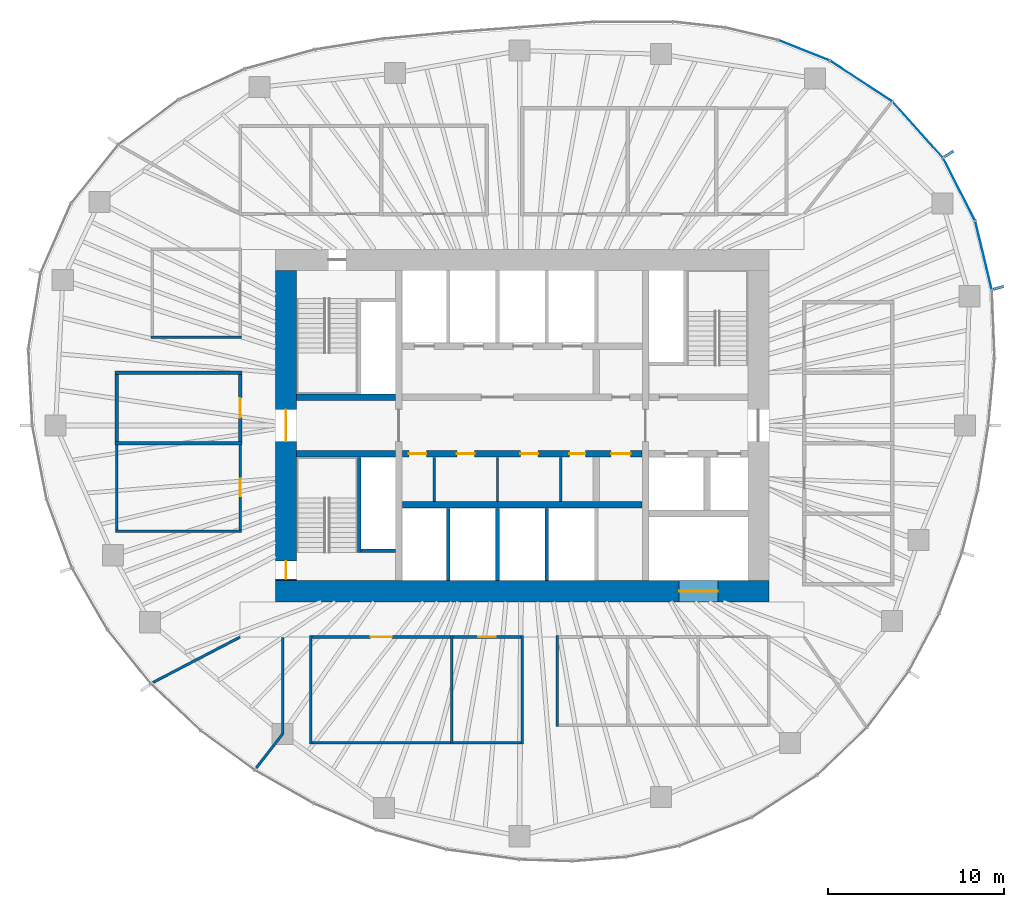
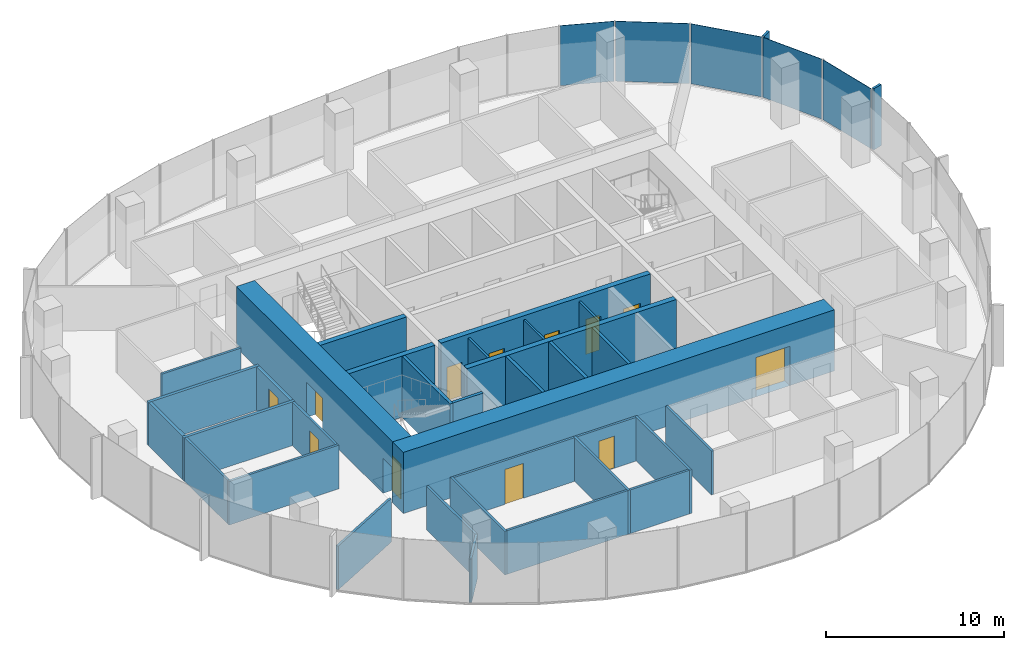
# One storey, part 8 of 12: 33 walls, 12 doors, 7 plates, 12 openings, 3 elements without a shape of their own.
"""IFC4 building model written with IfcOpenShell, lengths in metres."""

from ifc_helpers import new_model, si_unit, direction, frame, frame_2d, origin, origin_2d, place, context, subcontext, project, spatial, rectangle, extrude, material, layer, layer_set, type_object, element, fill, aggregate, save


model = new_model("IFC4")

# Units and contexts
model_context = context("Model", 3, precision=1e-05, world=origin(), true_north=direction((0.0, 1.0)))
body_context = subcontext(model_context, "Body", "Model", "MODEL_VIEW")
ifc_project = project(units=[si_unit("LENGTHUNIT", "METRE"), si_unit("AREAUNIT", "SQUARE_METRE"), si_unit("VOLUMEUNIT", "CUBIC_METRE"), si_unit("PLANEANGLEUNIT", "RADIAN"), si_unit("MASSUNIT", "GRAM", prefix="KILO")], contexts=[model_context])

# Site, building, storey
site_placement = place(None, origin())
site = spatial("IfcSite", under=ifc_project, at=site_placement, CompositionType="ELEMENT")
building_placement = place(site_placement, origin())
building = spatial("IfcBuilding", under=site, at=building_placement, Name="Ghaith Harvest Tower", CompositionType="ELEMENT")
storey_placement = place(building_placement, frame((0.0, 0.0, 236.800048828125)))
storey = spatial("IfcBuildingStorey", under=building, at=storey_placement, Name="L52", CompositionType="ELEMENT", Elevation=236.800048828125)

# Curtain wall, plates
ifc_material_1 = material(Name="Black anodised aluminium and fritted glass", Category="aluminium")
curtain_wall_type = type_object("IfcCurtainWallType", Name="CW-H CURTAIN WALL", PredefinedType="NOTDEFINED", material=ifc_material_1)
curtain_wall_1_placement = place(storey_placement, origin())
curtain_wall_1 = element("IfcCurtainWall", 1, at=curtain_wall_1_placement, inside=storey, type_object=curtain_wall_type, Name="Curtain wall CW-H bay 02 L52", PredefinedType="NOTDEFINED")
ifc_material_2 = material(Name="Glass, dark solar-control fritted double glazed unit", Category="glass")
ifc_layer_1 = layer(ifc_material_2, 0.030029296875)
ifc_layer_set_1 = layer_set([ifc_layer_1], Name="CW-H VISION PANEL")
plate_type_1 = type_object("IfcPlateType", Name="CW-H VISION PANEL", PredefinedType="CURTAIN_PANEL", material=ifc_layer_set_1)
plate_1_placement = place(storey_placement, frame((26.1767578125, 9.6533203125, 0.079833984375), z_axis=(0.0, 0.0, 1.0), x_axis=(-0.233894000303, 0.972262102842, 0.0)))
plate_1 = element("IfcPlate", 2, at=plate_1_placement, type_object=plate_type_1, Name="CW-H glass unit 1 bay 02 L52", PredefinedType="CURTAIN_PANEL", context=body_context, shape_type="SweptSolid", body=[
    extrude(rectangle(XDim=3.935546875, YDim=0.030029296875, at=origin_2d()), origin(), (0.0, 0.0, 1.0), 4.1201171875),
])
plate_2_placement = place(storey_placement, frame((24.790771484375, 13.399658203125, 0.079833984375), z_axis=(0.0, 0.0, 1.0), x_axis=(-0.454915320985, 0.890534699342, 0.0)))
plate_2 = element("IfcPlate", 3, at=plate_2_placement, type_object=plate_type_1, Name="CW-H glass unit 2 bay 02 L52", PredefinedType="CURTAIN_PANEL", context=body_context, shape_type="SweptSolid", body=[
    extrude(rectangle(XDim=3.949462890625, YDim=0.030029296875, at=origin_2d()), origin(), (0.0, 0.0, 1.0), 4.1201171875),
])
aggregate(curtain_wall_1, [plate_1, plate_2])

curtain_wall_2_placement = place(storey_placement, origin())
curtain_wall_2 = element("IfcCurtainWall", 4, at=curtain_wall_2_placement, inside=storey, type_object=curtain_wall_type, Name="Curtain wall CW-H bay 03 L52", PredefinedType="NOTDEFINED")
plate_3_placement = place(storey_placement, frame((22.44384765625, 16.783935546875, 0.079833984375), z_axis=(0.0, 0.0, 1.0), x_axis=(-0.668757736889, 0.743480389352, 0.0)))
plate_3 = element("IfcPlate", 5, at=plate_3_placement, type_object=plate_type_1, Name="CW-H glass unit 1 bay 03 L52", PredefinedType="CURTAIN_PANEL", context=body_context, shape_type="SweptSolid", body=[
    extrude(rectangle(XDim=4.19775390625, YDim=0.030029296875, at=origin_2d()), origin(), (0.0, 0.0, 1.0), 4.1201171875),
])
plate_4_placement = place(storey_placement, frame((19.236328125, 19.539306640625, 0.079833984375), z_axis=(0.0, 0.0, 1.0), x_axis=(-0.836276741583, 0.548307588392, 0.0)))
plate_4 = element("IfcPlate", 6, at=plate_4_placement, type_object=plate_type_1, Name="CW-H glass unit 2 bay 03 L52", PredefinedType="CURTAIN_PANEL", context=body_context, shape_type="SweptSolid", body=[
    extrude(rectangle(XDim=4.169677734375, YDim=0.030029296875, at=origin_2d()), origin(), (0.0, 0.0, 1.0), 4.1201171875),
])
aggregate(curtain_wall_2, [plate_3, plate_4])

# Curtain wall, plate
curtain_wall_3_placement = place(storey_placement, origin())
curtain_wall_3 = element("IfcCurtainWall", 7, at=curtain_wall_3_placement, inside=storey, type_object=curtain_wall_type, Name="Curtain wall CW-H bay 04 L52", PredefinedType="NOTDEFINED")
plate_5_placement = place(storey_placement, frame((15.993408203125, 21.287841796875, 0.079833984375), z_axis=(0.0, 0.0, 1.0), x_axis=(-0.929107322045, 0.369810200133, 0.0)))
plate_5 = element("IfcPlate", 8, at=plate_5_placement, type_object=plate_type_1, Name="CW-H glass unit 1 bay 04 L52", PredefinedType="CURTAIN_PANEL", context=body_context, shape_type="SweptSolid", body=[
    extrude(rectangle(XDim=3.075927734375, YDim=0.030029296875, at=origin_2d()), origin(), (0.0, 0.0, 1.0), 4.1201171875),
])
aggregate(curtain_wall_3, [plate_5])

# Plates
ifc_material_3 = material(Name="Glassfibre-reinforced concrete", Category="concrete")
ifc_layer_2 = layer(ifc_material_3, 0.14990234375)
ifc_layer_set_2 = layer_set([ifc_layer_2], Name="SUN-BREAKER FIN 600x150")
plate_type_2 = type_object("IfcPlateType", Name="SUN-BREAKER FIN 600x150", PredefinedType="USERDEFINED", material=ifc_layer_set_2)
for number, where, z_axis, x_axis, name in (
    (9, (27.03076171875, 7.8125, 0.0), (0.0, 0.0, 1.0), (0.960680349985, 0.277656739792, 0.0), "Sun-breaker fin CW-H 1 bay 02 L52"),
    (10, (24.211669921875, 15.408447265625, 0.0), (0.0, 0.0, 1.0), (0.843643971464, 0.536903016766, 0.0), "Sun-breaker fin CW-H 1 bay 03 L52"),
):
    element("IfcPlate", number, at=place(storey_placement, frame(where, z_axis=z_axis, x_axis=x_axis)), inside=storey, type_object=plate_type_2, Name=name, ObjectType="SUN-BREAKER FIN", PredefinedType="USERDEFINED", context=body_context, shape_type="SweptSolid", body=[
        extrude(rectangle(XDim=0.60009765625, YDim=0.14990234375, at=origin_2d()), origin(), (0.0, 0.0, 1.0), 4.199951171875),
    ])

# Walls
ifc_material_4 = material(Name="Twin-stud gypsum board, acoustic", Category="gypsum")
ifc_layer_3 = layer(ifc_material_4, 0.199951171875)
ifc_layer_set_3 = layer_set([ifc_layer_3], Name="ACOUSTIC PARTITION 200")
wall_type_1 = type_object("IfcWallType", Name="ACOUSTIC PARTITION 200", PredefinedType="PARTITIONING", material=ifc_layer_set_3)
for number, where, z_axis, x_axis, name in (
    (11, (-15.89990234375, -1.0, 0.0), (0.0, 0.0, 1.0), (-1.0, 0.0, 0.0), "Partition L52 row W6 cross wall 2"),
    (12, (-15.89990234375, 3.0, 0.0), (0.0, 0.0, 1.0), (-1.0, 0.0, 0.0), "Partition L52 row W6 cross wall 3"),
):
    element("IfcWall", number, at=place(storey_placement, frame(where, z_axis=z_axis, x_axis=x_axis)), inside=storey, type_object=wall_type_1, Name=name, PredefinedType="PARTITIONING", context=body_context, shape_type="SweptSolid", body=[
        extrude(rectangle(XDim=7.2001953125, YDim=0.199951171875, at=frame_2d((3.60009765625, 0.0))), origin(), (0.0, 0.0, 1.0), 3.0),
    ])

# Wall, opening, door
wall_1_placement = place(storey_placement, frame((-16.0, -0.89990234375, 0.0), z_axis=(0.0, 0.0, 1.0), x_axis=(0.0, 1.0, 0.0)))
wall_1 = element("IfcWall", 13, at=wall_1_placement, inside=storey, type_object=wall_type_1, Name="Partition L52-17", PredefinedType="PARTITIONING", context=body_context, shape_type="SweptSolid", body=[
    extrude(rectangle(XDim=3.7998046875, YDim=0.199951171875, at=frame_2d((1.89990234375, 0.0))), origin(), (0.0, 0.0, 1.0), 3.0),
])
opening_1_placement = place(wall_1_placement, frame((1.35009765625, 0.0, 0.0)))
opening_1 = element("IfcOpeningElement", 14, at=opening_1_placement, cuts=wall_1, Name="Opening 52-038", PredefinedType="OPENING", context=body_context, shape_type="SweptSolid", body=[
    extrude(rectangle(XDim=1.10009765625, YDim=2.300048828125, at=frame_2d((0.550048828125, 1.14990234375))), frame((0.0, 0.10986328125, 0.0), z_axis=(0.0, -1.0, 0.0), x_axis=(1.0, 0.0, 0.0)), (0.0, 0.0, 1.0), 0.219970703125),
])
ifc_material_5 = material(Name="Timber-framed glazed door", Category="wood")
door_type_1 = type_object("IfcDoorType", Name="D12 GLAZED OFFICE 1100x2300", OperationType="SINGLE_SWING_LEFT", PredefinedType="DOOR", material=ifc_material_5)
door_1_placement = place(opening_1_placement, origin())
door_1 = element("IfcDoor", 15, at=door_1_placement, inside=storey, type_object=door_type_1, Name="Quiet room door", OperationType="SINGLE_SWING_LEFT", OverallHeight=2.300048828125, OverallWidth=1.10009765625, PredefinedType="DOOR", context=body_context, shape_type="SweptSolid", body=[
    extrude(rectangle(XDim=1.10009765625, YDim=2.300048828125, at=frame_2d((0.550048828125, 1.14990234375))), frame((0.0, 0.02490234375, 0.0), z_axis=(0.0, -1.0, 0.0), x_axis=(1.0, 0.0, 0.0)), (0.0, 0.0, 1.0), 0.050048828125),
])
fill(opening_1, door_1)

# Walls
wall_2_placement = place(storey_placement, frame((-23.0, -0.89990234375, 0.0), z_axis=(0.0, 0.0, 1.0), x_axis=(0.0, 1.0, 0.0)))
element("IfcWall", 16, at=wall_2_placement, inside=storey, type_object=wall_type_1, Name="Partition L52-17", PredefinedType="PARTITIONING", context=body_context, shape_type="SweptSolid", body=[
    extrude(rectangle(XDim=3.7998046875, YDim=0.199951171875, at=frame_2d((1.89990234375, 0.0))), origin(), (0.0, 0.0, 1.0), 3.0),
])
ifc_material_6 = material(Name="Concrete blockwork, fair-faced", Category="masonry")
ifc_layer_4 = layer(ifc_material_6, 0.139892578125)
ifc_layer_set_4 = layer_set([ifc_layer_4], Name="CORE PARTITION 140")
wall_type_2 = type_object("IfcWallType", Name="CORE PARTITION 140", PredefinedType="PARTITIONING", material=ifc_layer_set_4)
for number, where, z_axis, x_axis, name in (
    (17, (-5.0, -1.800048828125, 0.0), (0.0, 0.0, 1.0), (0.0, -1.0, 0.0), "Core partition L52"),
    (18, (-1.39990234375, -1.800048828125, 0.0), (0.0, 0.0, 1.0), (0.0, -1.0, 0.0), "Core partition L52"),
    (19, (2.199951171875, -1.800048828125, 0.0), (0.0, 0.0, 1.0), (0.0, -1.0, 0.0), "Core partition L52"),
):
    element("IfcWall", number, at=place(storey_placement, frame(where, z_axis=z_axis, x_axis=x_axis)), inside=storey, type_object=wall_type_2, Name=name, PredefinedType="PARTITIONING", context=body_context, shape_type="SweptSolid", body=[
        extrude(rectangle(XDim=2.5, YDim=0.139892578125, at=frame_2d((1.25, 0.0))), origin(), (0.0, 0.0, 1.0), 3.949951171875),
    ])

# Wall, opening, door
ifc_material_7 = material(Name="Concrete C60/75", Category="concrete")
ifc_layer_5 = layer(ifc_material_7, 1.199951171875)
ifc_layer_set_5 = layer_set([ifc_layer_5], Name="CORE WALL CW1200 C60")
wall_type_3 = type_object("IfcWallType", Name="CORE WALL CW1200 C60", PredefinedType="SHEAR", material=ifc_layer_set_5)
wall_3_placement = place(storey_placement, frame((-14.0, -9.39990234375, 0.0), z_axis=(0.0, 0.0, 1.0), x_axis=(1.0, 0.0, 0.0)))
wall_3 = element("IfcWall", 20, at=wall_3_placement, inside=storey, type_object=wall_type_3, Name="Core wall S L52", PredefinedType="SHEAR", context=body_context, shape_type="SweptSolid", body=[
    extrude(rectangle(XDim=28.0, YDim=1.199951171875, at=frame_2d((14.0, 0.0))), origin(), (0.0, 0.0, 1.0), 4.199951171875),
])
opening_2_placement = place(wall_3_placement, frame((22.89990234375, 0.0, 0.0)))
opening_2 = element("IfcOpeningElement", 21, at=opening_2_placement, cuts=wall_3, Name="Opening 52-021", PredefinedType="OPENING", context=body_context, shape_type="SweptSolid", body=[
    extrude(rectangle(XDim=2.199951171875, YDim=2.699951171875, at=frame_2d((1.10009765625, 1.35009765625))), frame((0.0, 0.60986328125, 0.0), z_axis=(0.0, -1.0, 0.0), x_axis=(1.0, 0.0, 0.0)), (0.0, 0.0, 1.0), 1.219970703125),
])
ifc_material_8 = material(Name="Steel fire door", Category="steel")
door_type_2 = type_object("IfcDoorType", Name="LD3 LANDING 2200x2700", OperationType="DOUBLE_DOOR_SLIDING", PredefinedType="DOOR", material=ifc_material_8)
door_2_placement = place(opening_2_placement, origin())
door_2 = element("IfcDoor", 22, at=door_2_placement, inside=storey, type_object=door_type_2, Name="Landing door, goods lift GL1", OperationType="DOUBLE_DOOR_SLIDING", OverallHeight=2.699951171875, OverallWidth=2.199951171875, PredefinedType="DOOR", context=body_context, shape_type="SweptSolid", body=[
    extrude(rectangle(XDim=2.199951171875, YDim=2.699951171875, at=frame_2d((1.10009765625, 1.35009765625))), frame((0.0, 0.02490234375, 0.0), z_axis=(0.0, -1.0, 0.0), x_axis=(1.0, 0.0, 0.0)), (0.0, 0.0, 1.0), 0.050048828125),
])
fill(opening_2, door_2)

# Wall, openings, doors
wall_4_placement = place(storey_placement, frame((-13.39990234375, 8.800048828125, 0.0), z_axis=(0.0, 0.0, 1.0), x_axis=(0.0, -1.0, 0.0)))
wall_4 = element("IfcWall", 23, at=wall_4_placement, inside=storey, type_object=wall_type_3, Name="Core wall W L52", PredefinedType="SHEAR", context=body_context, shape_type="SweptSolid", body=[
    extrude(rectangle(XDim=17.60009765625, YDim=1.199951171875, at=frame_2d((8.800048828125, 0.0))), origin(), (0.0, 0.0, 1.0), 4.199951171875),
])
opening_3_placement = place(wall_4_placement, frame((7.89990234375, 0.0, 0.0)))
opening_3 = element("IfcOpeningElement", 24, at=opening_3_placement, cuts=wall_4, Name="Opening 52-001", PredefinedType="OPENING", context=body_context, shape_type="SweptSolid", body=[
    extrude(rectangle(XDim=1.800048828125, YDim=2.39990234375, at=frame_2d((0.89990234375, 1.199951171875))), frame((0.0, 0.60986328125, 0.0), z_axis=(0.0, -1.0, 0.0), x_axis=(1.0, 0.0, 0.0)), (0.0, 0.0, 1.0), 1.219970703125),
])
opening_4_placement = place(wall_4_placement, frame((16.5, 0.0, 0.0)))
opening_4 = element("IfcOpeningElement", 25, at=opening_4_placement, cuts=wall_4, Name="Opening 52-006", PredefinedType="OPENING", context=body_context, shape_type="SweptSolid", body=[
    extrude(rectangle(XDim=1.0, YDim=2.39990234375, at=frame_2d((0.5, 1.199951171875))), frame((0.0, 0.60986328125, 0.0), z_axis=(0.0, -1.0, 0.0), x_axis=(1.0, 0.0, 0.0)), (0.0, 0.0, 1.0), 1.219970703125),
])
ifc_material_9 = material(Name="Steel fire door", Category="steel")
door_type_3 = type_object("IfcDoorType", Name="D3 FD90 1000x2400", OperationType="SINGLE_SWING_LEFT", PredefinedType="DOOR", material=ifc_material_9)
door_3_placement = place(opening_4_placement, origin())
door_3 = element("IfcDoor", 26, at=door_3_placement, inside=storey, type_object=door_type_3, Name="Stair ST3 door", OperationType="SINGLE_SWING_RIGHT", OverallHeight=2.39990234375, OverallWidth=1.0, PredefinedType="DOOR", context=body_context, shape_type="SweptSolid", body=[
    extrude(rectangle(XDim=1.0, YDim=2.39990234375, at=frame_2d((0.5, 1.199951171875))), frame((0.0, 0.02490234375, 0.0), z_axis=(0.0, -1.0, 0.0), x_axis=(1.0, 0.0, 0.0)), (0.0, 0.0, 1.0), 0.050048828125),
])
fill(opening_4, door_3)
ifc_material_10 = material(Name="Steel fire door", Category="steel")
door_type_4 = type_object("IfcDoorType", Name="D4 FD90 PAIR 1800x2400", OperationType="DOUBLE_DOOR_SINGLE_SWING", PredefinedType="DOOR", material=ifc_material_10)
door_4_placement = place(opening_3_placement, origin())
door_4 = element("IfcDoor", 27, at=door_4_placement, inside=storey, type_object=door_type_4, Name="West lobby doors", OperationType="DOUBLE_DOOR_SINGLE_SWING", OverallHeight=2.39990234375, OverallWidth=1.800048828125, PredefinedType="DOOR", context=body_context, shape_type="SweptSolid", body=[
    extrude(rectangle(XDim=1.800048828125, YDim=2.39990234375, at=frame_2d((0.89990234375, 1.199951171875))), frame((0.0, 0.02490234375, 0.0), z_axis=(0.0, -1.0, 0.0), x_axis=(1.0, 0.0, 0.0)), (0.0, 0.0, 1.0), 0.050048828125),
])
fill(opening_3, door_4)

# Walls
ifc_material_11 = material(Name="Concrete blockwork, 2-hour", Category="masonry")
ifc_layer_6 = layer(ifc_material_11, 0.199951171875)
ifc_layer_set_6 = layer_set([ifc_layer_6], Name="LIFT SHAFT WALL 200")
wall_type_4 = type_object("IfcWallType", Name="LIFT SHAFT WALL 200", PredefinedType="PARTITIONING", material=ifc_layer_set_6)
for number, where, z_axis, x_axis, name in (
    (28, (-4.199951171875, -4.699951171875, 0.0), (0.0, 0.0, 1.0), (0.0, -1.0, 0.0), "Lift shaft wall L52"),
    (29, (-1.39990234375, -4.699951171875, 0.0), (0.0, 0.0, 1.0), (0.0, -1.0, 0.0), "Lift shaft wall L52"),
    (30, (1.39990234375, -4.699951171875, 0.0), (0.0, 0.0, 1.0), (0.0, -1.0, 0.0), "Lift shaft wall L52"),
):
    element("IfcWall", number, at=place(storey_placement, frame(where, z_axis=z_axis, x_axis=x_axis)), inside=storey, type_object=wall_type_4, Name=name, PredefinedType="PARTITIONING", context=body_context, shape_type="SweptSolid", body=[
        extrude(rectangle(XDim=4.10009765625, YDim=0.199951171875, at=frame_2d((2.050048828125, 0.0))), origin(), (0.0, 0.0, 1.0), 4.199951171875),
    ])
ifc_material_12 = material(Name="Gypsum board on steel studs", Category="steel")
ifc_layer_7 = layer(ifc_material_12, 0.14990234375)
ifc_layer_set_7 = layer_set([ifc_layer_7], Name="PARTITION 150")
wall_type_5 = type_object("IfcWallType", Name="PARTITION 150", PredefinedType="PARTITIONING", material=ifc_layer_set_7)
for number, where, z_axis, x_axis, name in (
    (31, (-12.0, -11.925048828125, 0.0), (0.0, 0.0, 1.0), (0.0, -1.0, 0.0), "Partition L52 row S1 cross wall 1"),
    (32, (-4.0, -11.925048828125, 0.0), (0.0, 0.0, 1.0), (0.0, -1.0, 0.0), "Partition L52 row S1 cross wall 2"),
    (33, (0.0, -11.925048828125, 0.0), (0.0, 0.0, 1.0), (0.0, -1.0, 0.0), "Partition L52 row S1 cross wall 3"),
):
    element("IfcWall", number, at=place(storey_placement, frame(where, z_axis=z_axis, x_axis=x_axis)), inside=storey, type_object=wall_type_5, Name=name, PredefinedType="PARTITIONING", context=body_context, shape_type="SweptSolid", body=[
        extrude(rectangle(XDim=6.14990234375, YDim=0.14990234375, at=frame_2d((3.074951171875, 0.0))), origin(), (0.0, 0.0, 1.0), 3.0),
    ])

# Wall, opening, door
wall_5_placement = place(storey_placement, frame((-11.925048828125, -12.0, 0.0), z_axis=(0.0, 0.0, 1.0), x_axis=(1.0, 0.0, 0.0)))
wall_5 = element("IfcWall", 34, at=wall_5_placement, inside=storey, type_object=wall_type_5, Name="Partition L52-01", PredefinedType="PARTITIONING", context=body_context, shape_type="SweptSolid", body=[
    extrude(rectangle(XDim=7.85009765625, YDim=0.14990234375, at=frame_2d((3.925048828125, 0.0))), origin(), (0.0, 0.0, 1.0), 3.0),
])
opening_5_placement = place(wall_5_placement, frame((3.324951171875, 0.0, 0.0)))
opening_5 = element("IfcOpeningElement", 35, at=opening_5_placement, cuts=wall_5, Name="Opening 52-022", PredefinedType="OPENING", context=body_context, shape_type="SweptSolid", body=[
    extrude(rectangle(XDim=1.199951171875, YDim=2.39990234375, at=frame_2d((0.60009765625, 1.199951171875))), frame((0.0, 0.0849609375, 0.0), z_axis=(0.0, -1.0, 0.0), x_axis=(1.0, 0.0, 0.0)), (0.0, 0.0, 1.0), 0.169921875),
])
ifc_material_13 = material(Name="Timber door", Category="wood")
door_type_5 = type_object("IfcDoorType", Name="D11 GLAZED 1200x2400", OperationType="SINGLE_SWING_LEFT", PredefinedType="DOOR", material=ifc_material_13)
door_5_placement = place(opening_5_placement, origin())
door_5 = element("IfcDoor", 36, at=door_5_placement, inside=storey, type_object=door_type_5, Name="Operations room door", OperationType="SINGLE_SWING_LEFT", OverallHeight=2.39990234375, OverallWidth=1.199951171875, PredefinedType="DOOR", context=body_context, shape_type="SweptSolid", body=[
    extrude(rectangle(XDim=1.199951171875, YDim=2.39990234375, at=frame_2d((0.60009765625, 1.199951171875))), frame((0.0, 0.02490234375, 0.0), z_axis=(0.0, -1.0, 0.0), x_axis=(1.0, 0.0, 0.0)), (0.0, 0.0, 1.0), 0.050048828125),
])
fill(opening_5, door_5)

# Wall
wall_6_placement = place(storey_placement, frame((-11.925048828125, -18.0, 0.0), z_axis=(0.0, 0.0, 1.0), x_axis=(1.0, 0.0, 0.0)))
element("IfcWall", 37, at=wall_6_placement, inside=storey, type_object=wall_type_5, Name="Partition L52-01", PredefinedType="PARTITIONING", context=body_context, shape_type="SweptSolid", body=[
    extrude(rectangle(XDim=7.85009765625, YDim=0.14990234375, at=frame_2d((3.925048828125, 0.0))), origin(), (0.0, 0.0, 1.0), 3.0),
])

# Wall, opening, door
wall_7_placement = place(storey_placement, frame((-3.925048828125, -12.0, 0.0), z_axis=(0.0, 0.0, 1.0), x_axis=(1.0, 0.0, 0.0)))
wall_7 = element("IfcWall", 38, at=wall_7_placement, inside=storey, type_object=wall_type_5, Name="Partition L52-02", PredefinedType="PARTITIONING", context=body_context, shape_type="SweptSolid", body=[
    extrude(rectangle(XDim=3.85009765625, YDim=0.14990234375, at=frame_2d((1.925048828125, 0.0))), origin(), (0.0, 0.0, 1.0), 3.0),
])
opening_6_placement = place(wall_7_placement, frame((1.425048828125, 0.0, 0.0)))
opening_6 = element("IfcOpeningElement", 39, at=opening_6_placement, cuts=wall_7, Name="Opening 52-023", PredefinedType="OPENING", context=body_context, shape_type="SweptSolid", body=[
    extrude(rectangle(XDim=1.0, YDim=2.199951171875, at=frame_2d((0.5, 1.10009765625))), frame((0.0, 0.0849609375, 0.0), z_axis=(0.0, -1.0, 0.0), x_axis=(1.0, 0.0, 0.0)), (0.0, 0.0, 1.0), 0.169921875),
])
ifc_material_14 = material(Name="Timber door", Category="wood")
door_type_6 = type_object("IfcDoorType", Name="D1 SINGLE 1000x2200", OperationType="SINGLE_SWING_LEFT", PredefinedType="DOOR", material=ifc_material_14)
door_6_placement = place(opening_6_placement, origin())
door_6 = element("IfcDoor", 40, at=door_6_placement, inside=storey, type_object=door_type_6, Name="Store door", OperationType="SINGLE_SWING_LEFT", OverallHeight=2.199951171875, OverallWidth=1.0, PredefinedType="DOOR", context=body_context, shape_type="SweptSolid", body=[
    extrude(rectangle(XDim=1.0, YDim=2.199951171875, at=frame_2d((0.5, 1.10009765625))), frame((0.0, 0.02490234375, 0.0), z_axis=(0.0, -1.0, 0.0), x_axis=(1.0, 0.0, 0.0)), (0.0, 0.0, 1.0), 0.050048828125),
])
fill(opening_6, door_6)

# Walls
wall_8_placement = place(storey_placement, frame((-3.925048828125, -18.0, 0.0), z_axis=(0.0, 0.0, 1.0), x_axis=(1.0, 0.0, 0.0)))
element("IfcWall", 41, at=wall_8_placement, inside=storey, type_object=wall_type_5, Name="Partition L52-02", PredefinedType="PARTITIONING", context=body_context, shape_type="SweptSolid", body=[
    extrude(rectangle(XDim=3.85009765625, YDim=0.14990234375, at=frame_2d((1.925048828125, 0.0))), origin(), (0.0, 0.0, 1.0), 3.0),
])
wall_9_placement = place(storey_placement, frame((2.0, -11.925048828125, 0.0), z_axis=(0.0, 0.0, 1.0), x_axis=(0.0, -1.0, 0.0)))
element("IfcWall", 42, at=wall_9_placement, inside=storey, type_object=wall_type_5, Name="Partition L52 row S2 cross wall 1", PredefinedType="PARTITIONING", context=body_context, shape_type="SweptSolid", body=[
    extrude(rectangle(XDim=5.14990234375, YDim=0.14990234375, at=frame_2d((2.574951171875, 0.0))), origin(), (0.0, 0.0, 1.0), 3.0),
])
wall_10_placement = place(storey_placement, frame((-15.925048828125, -6.0, 0.0), z_axis=(0.0, 0.0, 1.0), x_axis=(-1.0, 0.0, 0.0)))
element("IfcWall", 43, at=wall_10_placement, inside=storey, type_object=wall_type_5, Name="Partition L52 row W6 cross wall 1", PredefinedType="PARTITIONING", context=body_context, shape_type="SweptSolid", body=[
    extrude(rectangle(XDim=7.14990234375, YDim=0.14990234375, at=frame_2d((3.574951171875, 0.0))), origin(), (0.0, 0.0, 1.0), 3.0),
])

# Wall, opening, door
wall_11_placement = place(storey_placement, frame((-16.0, -5.925048828125, 0.0), z_axis=(0.0, 0.0, 1.0), x_axis=(0.0, 1.0, 0.0)))
wall_11 = element("IfcWall", 44, at=wall_11_placement, inside=storey, type_object=wall_type_5, Name="Partition L52-16", PredefinedType="PARTITIONING", context=body_context, shape_type="SweptSolid", body=[
    extrude(rectangle(XDim=4.824951171875, YDim=0.14990234375, at=frame_2d((2.41259765625, 0.0))), origin(), (0.0, 0.0, 1.0), 3.0),
])
opening_7_placement = place(wall_11_placement, frame((1.91259765625, 0.0, 0.0)))
opening_7 = element("IfcOpeningElement", 45, at=opening_7_placement, cuts=wall_11, Name="Opening 52-037", PredefinedType="OPENING", context=body_context, shape_type="SweptSolid", body=[
    extrude(rectangle(XDim=1.0, YDim=2.199951171875, at=frame_2d((0.5, 1.10009765625))), frame((0.0, 0.0849609375, 0.0), z_axis=(0.0, -1.0, 0.0), x_axis=(1.0, 0.0, 0.0)), (0.0, 0.0, 1.0), 0.169921875),
])
door_7_placement = place(opening_7_placement, origin())
door_7 = element("IfcDoor", 46, at=door_7_placement, inside=storey, type_object=door_type_6, Name="Print room door", OperationType="SINGLE_SWING_LEFT", OverallHeight=2.199951171875, OverallWidth=1.0, PredefinedType="DOOR", context=body_context, shape_type="SweptSolid", body=[
    extrude(rectangle(XDim=1.0, YDim=2.199951171875, at=frame_2d((0.5, 1.10009765625))), frame((0.0, 0.02490234375, 0.0), z_axis=(0.0, -1.0, 0.0), x_axis=(1.0, 0.0, 0.0)), (0.0, 0.0, 1.0), 0.050048828125),
])
fill(opening_7, door_7)

# Walls
wall_12_placement = place(storey_placement, frame((-23.0, -5.925048828125, 0.0), z_axis=(0.0, 0.0, 1.0), x_axis=(0.0, 1.0, 0.0)))
element("IfcWall", 47, at=wall_12_placement, inside=storey, type_object=wall_type_5, Name="Partition L52-16", PredefinedType="PARTITIONING", context=body_context, shape_type="SweptSolid", body=[
    extrude(rectangle(XDim=4.824951171875, YDim=0.14990234375, at=frame_2d((2.41259765625, 0.0))), origin(), (0.0, 0.0, 1.0), 3.0),
])
wall_13_placement = place(storey_placement, frame((-15.925048828125, 5.0, 0.0), z_axis=(0.0, 0.0, 1.0), x_axis=(-1.0, 0.0, 0.0)))
element("IfcWall", 48, at=wall_13_placement, inside=storey, type_object=wall_type_5, Name="Partition L52 row W7 cross wall 1", PredefinedType="PARTITIONING", context=body_context, shape_type="SweptSolid", body=[
    extrude(rectangle(XDim=5.14990234375, YDim=0.14990234375, at=frame_2d((2.574951171875, 0.0))), origin(), (0.0, 0.0, 1.0), 3.0),
])
wall_14_placement = place(storey_placement, frame((-16.017578125, -12.00927734375, 0.0), z_axis=(0.0, 0.0, 1.0), x_axis=(-0.886831549241, -0.462092851351, 0.0)))
element("IfcWall", 49, at=wall_14_placement, inside=storey, type_object=wall_type_5, Name="Partition L52 zone division", PredefinedType="PARTITIONING", context=body_context, shape_type="SweptSolid", body=[
    extrude(rectangle(XDim=5.555419921875, YDim=0.14990234375, at=frame_2d((2.77783203125, 0.0))), origin(), (0.0, 0.0, 1.0), 3.0),
])
wall_15_placement = place(storey_placement, frame((-13.594970703125, -12.02001953125, 0.0), z_axis=(0.0, 0.0, 1.0), x_axis=(0.0, -1.0, 0.0)))
element("IfcWall", 50, at=wall_15_placement, inside=storey, type_object=wall_type_5, Name="Partition L52 zone division", PredefinedType="PARTITIONING", context=body_context, shape_type="SweptSolid", body=[
    extrude(rectangle(XDim=5.48486328125, YDim=0.14990234375, at=frame_2d((2.742431640625, 0.0))), origin(), (0.0, 0.0, 1.0), 3.0),
])
wall_16_placement = place(storey_placement, frame((-13.594970703125, -17.5048828125, 0.0), z_axis=(0.0, 0.0, 1.0), x_axis=(-0.613379342147, -0.78978844169, 0.0)))
element("IfcWall", 51, at=wall_16_placement, inside=storey, type_object=wall_type_5, Name="Partition L52 zone division", PredefinedType="PARTITIONING", context=body_context, shape_type="SweptSolid", body=[
    extrude(rectangle(XDim=2.43994140625, YDim=0.14990234375, at=frame_2d((1.219970703125, 0.0))), origin(), (0.0, 0.0, 1.0), 3.0),
])

# Wall, openings, doors
ifc_material_15 = material(Name="Concrete C60/75", Category="concrete")
ifc_layer_8 = layer(ifc_material_15, 0.35009765625)
ifc_layer_set_8 = layer_set([ifc_layer_8], Name="SHAFT WALL 350")
wall_type_6 = type_object("IfcWallType", Name="SHAFT WALL 350", PredefinedType="SHEAR", material=ifc_layer_set_8)
wall_17_placement = place(storey_placement, frame((-6.800048828125, -1.60009765625, 0.0), z_axis=(0.0, 0.0, 1.0), x_axis=(1.0, 0.0, 0.0)))
wall_17 = element("IfcWall", 52, at=wall_17_placement, inside=storey, type_object=wall_type_6, Name="Shaft wall LS L52", PredefinedType="SHEAR", context=body_context, shape_type="SweptSolid", body=[
    extrude(rectangle(XDim=13.60009765625, YDim=0.35009765625, at=frame_2d((6.800048828125, 0.0))), origin(), (0.0, 0.0, 1.0), 4.199951171875),
])
opening_8_placement = place(wall_17_placement, frame((0.364990234375, 0.0, 0.0)))
opening_8 = element("IfcOpeningElement", 53, at=opening_8_placement, cuts=wall_17, Name="Opening 52-008", PredefinedType="OPENING", context=body_context, shape_type="SweptSolid", body=[
    extrude(rectangle(XDim=1.0, YDim=2.39990234375, at=frame_2d((0.5, 1.199951171875))), frame((0.0, 0.18505859375, 0.0), z_axis=(0.0, -1.0, 0.0), x_axis=(1.0, 0.0, 0.0)), (0.0, 0.0, 1.0), 0.3701171875),
])
opening_9_placement = place(wall_17_placement, frame((3.10009765625, 0.0, 0.0)))
opening_9 = element("IfcOpeningElement", 54, at=opening_9_placement, cuts=wall_17, Name="Opening 52-009", PredefinedType="OPENING", context=body_context, shape_type="SweptSolid", body=[
    extrude(rectangle(XDim=1.0, YDim=2.39990234375, at=frame_2d((0.5, 1.199951171875))), frame((0.0, 0.18505859375, 0.0), z_axis=(0.0, -1.0, 0.0), x_axis=(1.0, 0.0, 0.0)), (0.0, 0.0, 1.0), 0.3701171875),
])
opening_10_placement = place(wall_17_placement, frame((6.699951171875, 0.0, 0.0)))
opening_10 = element("IfcOpeningElement", 55, at=opening_10_placement, cuts=wall_17, Name="Opening 52-010", PredefinedType="OPENING", context=body_context, shape_type="SweptSolid", body=[
    extrude(rectangle(XDim=1.0, YDim=2.39990234375, at=frame_2d((0.5, 1.199951171875))), frame((0.0, 0.18505859375, 0.0), z_axis=(0.0, -1.0, 0.0), x_axis=(1.0, 0.0, 0.0)), (0.0, 0.0, 1.0), 0.3701171875),
])
opening_11_placement = place(wall_17_placement, frame((9.485107421875, 0.0, 0.0)))
opening_11 = element("IfcOpeningElement", 56, at=opening_11_placement, cuts=wall_17, Name="Opening 52-011", PredefinedType="OPENING", context=body_context, shape_type="SweptSolid", body=[
    extrude(rectangle(XDim=0.89990234375, YDim=2.39990234375, at=frame_2d((0.449951171875, 1.199951171875))), frame((0.0, 0.18505859375, 0.0), z_axis=(0.0, -1.0, 0.0), x_axis=(1.0, 0.0, 0.0)), (0.0, 0.0, 1.0), 0.3701171875),
])
opening_12_placement = place(wall_17_placement, frame((11.85009765625, 0.0, 0.0)))
opening_12 = element("IfcOpeningElement", 57, at=opening_12_placement, cuts=wall_17, Name="Opening 52-013", PredefinedType="OPENING", context=body_context, shape_type="SweptSolid", body=[
    extrude(rectangle(XDim=1.10009765625, YDim=2.39990234375, at=frame_2d((0.550048828125, 1.199951171875))), frame((0.0, 0.18505859375, 0.0), z_axis=(0.0, -1.0, 0.0), x_axis=(1.0, 0.0, 0.0)), (0.0, 0.0, 1.0), 0.3701171875),
])
door_8_placement = place(opening_8_placement, origin())
door_8 = element("IfcDoor", 58, at=door_8_placement, inside=storey, type_object=door_type_3, Name="Print room door", OperationType="SINGLE_SWING_LEFT", OverallHeight=2.39990234375, OverallWidth=1.0, PredefinedType="DOOR", context=body_context, shape_type="SweptSolid", body=[
    extrude(rectangle(XDim=1.0, YDim=2.39990234375, at=frame_2d((0.5, 1.199951171875))), frame((0.0, 0.02490234375, 0.0), z_axis=(0.0, -1.0, 0.0), x_axis=(1.0, 0.0, 0.0)), (0.0, 0.0, 1.0), 0.050048828125),
])
fill(opening_8, door_8)
door_9_placement = place(opening_9_placement, origin())
door_9 = element("IfcDoor", 59, at=door_9_placement, inside=storey, type_object=door_type_3, Name="Male WC door", OperationType="SINGLE_SWING_LEFT", OverallHeight=2.39990234375, OverallWidth=1.0, PredefinedType="DOOR", context=body_context, shape_type="SweptSolid", body=[
    extrude(rectangle(XDim=1.0, YDim=2.39990234375, at=frame_2d((0.5, 1.199951171875))), frame((0.0, 0.02490234375, 0.0), z_axis=(0.0, -1.0, 0.0), x_axis=(1.0, 0.0, 0.0)), (0.0, 0.0, 1.0), 0.050048828125),
])
fill(opening_9, door_9)
door_10_placement = place(opening_10_placement, origin())
door_10 = element("IfcDoor", 60, at=door_10_placement, inside=storey, type_object=door_type_3, Name="Female WC door", OperationType="SINGLE_SWING_RIGHT", OverallHeight=2.39990234375, OverallWidth=1.0, PredefinedType="DOOR", context=body_context, shape_type="SweptSolid", body=[
    extrude(rectangle(XDim=1.0, YDim=2.39990234375, at=frame_2d((0.5, 1.199951171875))), frame((0.0, 0.02490234375, 0.0), z_axis=(0.0, -1.0, 0.0), x_axis=(1.0, 0.0, 0.0)), (0.0, 0.0, 1.0), 0.050048828125),
])
fill(opening_10, door_10)
ifc_material_16 = material(Name="Steel fire door", Category="steel")
door_type_7 = type_object("IfcDoorType", Name="D5 FD90 900x2400", OperationType="SINGLE_SWING_LEFT", PredefinedType="DOOR", material=ifc_material_16)
door_11_placement = place(opening_11_placement, origin())
door_11 = element("IfcDoor", 61, at=door_11_placement, inside=storey, type_object=door_type_7, Name="Cleaner's store door", OperationType="SINGLE_SWING_RIGHT", OverallHeight=2.39990234375, OverallWidth=0.89990234375, PredefinedType="DOOR", context=body_context, shape_type="SweptSolid", body=[
    extrude(rectangle(XDim=0.89990234375, YDim=2.39990234375, at=frame_2d((0.449951171875, 1.199951171875))), frame((0.0, 0.02490234375, 0.0), z_axis=(0.0, -1.0, 0.0), x_axis=(1.0, 0.0, 0.0)), (0.0, 0.0, 1.0), 0.050048828125),
])
fill(opening_11, door_11)
ifc_material_17 = material(Name="Steel fire door", Category="steel")
door_type_8 = type_object("IfcDoorType", Name="D9 FD90 1100x2400", OperationType="SINGLE_SWING_LEFT", PredefinedType="DOOR", material=ifc_material_17)
door_12_placement = place(opening_12_placement, origin())
door_12 = element("IfcDoor", 62, at=door_12_placement, inside=storey, type_object=door_type_8, Name="Accessible WC door", OperationType="SINGLE_SWING_RIGHT", OverallHeight=2.39990234375, OverallWidth=1.10009765625, PredefinedType="DOOR", context=body_context, shape_type="SweptSolid", body=[
    extrude(rectangle(XDim=1.10009765625, YDim=2.39990234375, at=frame_2d((0.550048828125, 1.199951171875))), frame((0.0, 0.02490234375, 0.0), z_axis=(0.0, -1.0, 0.0), x_axis=(1.0, 0.0, 0.0)), (0.0, 0.0, 1.0), 0.050048828125),
])
fill(opening_12, door_12)

# Walls
wall_18_placement = place(storey_placement, frame((-6.800048828125, -4.5, 0.0), z_axis=(0.0, 0.0, 1.0), x_axis=(1.0, 0.0, 0.0)))
element("IfcWall", 63, at=wall_18_placement, inside=storey, type_object=wall_type_6, Name="Shaft wall BS L52", PredefinedType="SHEAR", context=body_context, shape_type="SweptSolid", body=[
    extrude(rectangle(XDim=13.60009765625, YDim=0.35009765625, at=frame_2d((6.800048828125, 0.0))), origin(), (0.0, 0.0, 1.0), 4.199951171875),
])
for number, where, z_axis, x_axis, name in (
    (64, (-12.800048828125, 1.60009765625, 0.0), (0.0, 0.0, 1.0), (1.0, 0.0, 0.0), "Shaft wall WN L52"),
    (65, (-12.800048828125, -1.60009765625, 0.0), (0.0, 0.0, 1.0), (1.0, 0.0, 0.0), "Shaft wall WS L52"),
):
    element("IfcWall", number, at=place(storey_placement, frame(where, z_axis=z_axis, x_axis=x_axis)), inside=storey, type_object=wall_type_6, Name=name, PredefinedType="SHEAR", context=body_context, shape_type="SweptSolid", body=[
        extrude(rectangle(XDim=5.60009765625, YDim=0.35009765625, at=frame_2d((2.800048828125, 0.0))), origin(), (0.0, 0.0, 1.0), 4.199951171875),
    ])
ifc_material_18 = material(Name="Concrete C40/50", Category="concrete")
ifc_layer_9 = layer(ifc_material_18, 0.199951171875)
ifc_layer_set_9 = layer_set([ifc_layer_9], Name="STAIR SPINE WALL RC200")
wall_type_7 = type_object("IfcWallType", Name="STAIR SPINE WALL RC200", PredefinedType="SOLIDWALL", material=ifc_layer_set_9)
wall_19_placement = place(storey_placement, frame((-9.25, -7.199951171875, 0.0), z_axis=(0.0, 0.0, 1.0), x_axis=(0.0, 1.0, 0.0)))
element("IfcWall", 66, at=wall_19_placement, inside=storey, type_object=wall_type_7, Name="Stair ST3 spine wall L52", PredefinedType="SOLIDWALL", context=body_context, shape_type="SweptSolid", body=[
    extrude(rectangle(XDim=5.39990234375, YDim=0.199951171875, at=frame_2d((2.699951171875, 0.0))), origin(), (0.0, 0.0, 1.0), 4.199951171875),
])
wall_20_placement = place(storey_placement, frame((-9.14990234375, -7.10009765625, 0.0), z_axis=(0.0, 0.0, 1.0), x_axis=(1.0, 0.0, 0.0)))
element("IfcWall", 67, at=wall_20_placement, inside=storey, type_object=wall_type_7, Name="Stair ST3 spine wall return L52", PredefinedType="SOLIDWALL", context=body_context, shape_type="SweptSolid", body=[
    extrude(rectangle(XDim=1.949951171875, YDim=0.199951171875, at=frame_2d((0.97509765625, 0.0))), origin(), (0.0, 0.0, 1.0), 4.199951171875),
])

save(model, "model.ifc")
